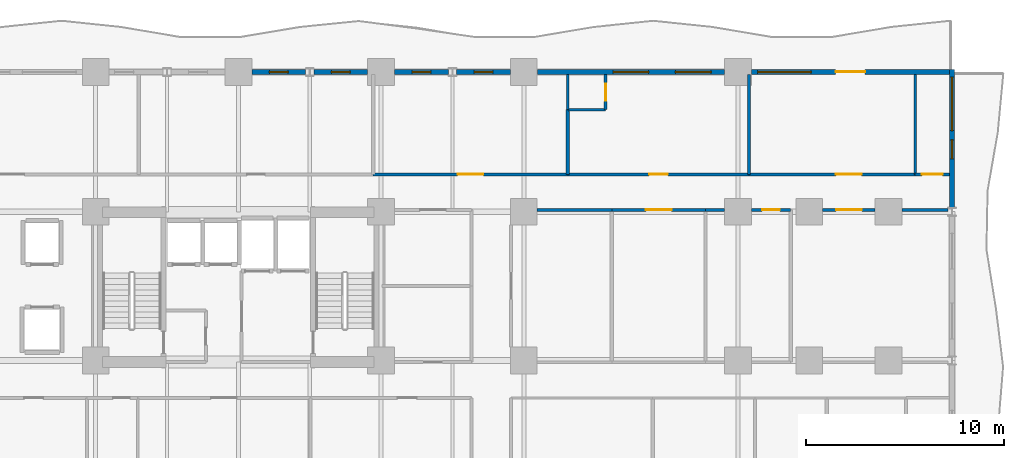
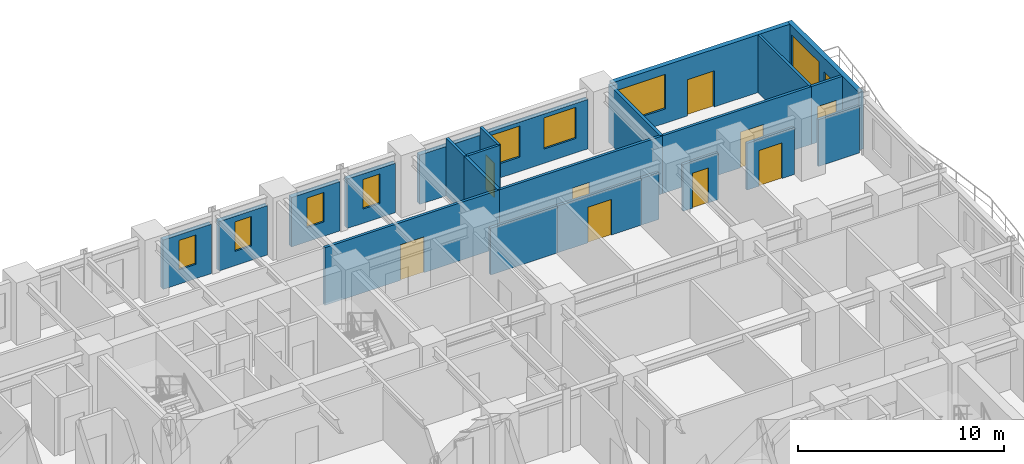
# One storey, part 7 of 11: 23 walls, 9 doors, 9 windows, 18 openings.
"""IFC4 building model written with IfcOpenShell, lengths in metres."""

from ifc_helpers import new_model, si_unit, direction, frame, frame_2d, origin, place, context, subcontext, project, spatial, rectangle, extrude, material, layer, layer_set, type_object, element, fill, save


model = new_model("IFC4")

# Units and contexts
model_context = context("Model", 3, precision=1e-05, world=origin(), true_north=direction((0.0, 1.0)))
body_context = subcontext(model_context, "Body", "Model", "MODEL_VIEW")
ifc_project = project(units=[si_unit("LENGTHUNIT", "METRE"), si_unit("AREAUNIT", "SQUARE_METRE"), si_unit("VOLUMEUNIT", "CUBIC_METRE"), si_unit("PLANEANGLEUNIT", "RADIAN"), si_unit("MASSUNIT", "GRAM", prefix="KILO")], contexts=[model_context])

# Site, building, storey
site_placement = place(None, origin())
site = spatial("IfcSite", under=ifc_project, at=site_placement, CompositionType="ELEMENT")
building_placement = place(site_placement, origin())
building = spatial("IfcBuilding", under=site, at=building_placement, Name="Kaliganga Portal Commons", CompositionType="ELEMENT")
storey_placement = place(building_placement, frame((0.0, 0.0, 25.300048828125)))
storey = spatial("IfcBuildingStorey", under=building, at=storey_placement, Name="L05", CompositionType="ELEMENT", Elevation=25.300048828125)

# Wall, openings, windows
ifc_material_1 = material(Name="Insulated Aluminium-Clad Spandrel Assembly", Category="aluminium")
ifc_layer_1 = layer(ifc_material_1, 0.260009765625)
ifc_layer_set_1 = layer_set([ifc_layer_1], Name="Insulated Aluminium-Clad Spandrel Assembly")
wall_type_1 = type_object("IfcWallType", Name="WL-EXT-SPAND-260", PredefinedType="STANDARD", material=ifc_layer_set_1)
wall_1_placement = place(storey_placement, frame((57.60009765625, 43.330078125, 0.0), z_axis=(0.0, 0.0, 1.0), x_axis=(0.0, -1.0, 0.0)))
wall_1 = element("IfcWall", 1, at=wall_1_placement, inside=storey, type_object=wall_type_1, Name="Exterior Envelope Wall L05 P1-E01-S6", PredefinedType="STANDARD", context=body_context, shape_type="SweptSolid", body=[
    extrude(rectangle(XDim=6.9560546875, YDim=0.260009765625, at=frame_2d((3.47802734375, 0.0))), origin(), (0.0, 0.0, 1.0), 3.429931640625),
])
opening_1_placement = place(wall_1_placement, frame((0.388916015625, 0.0, 0.85009765625)))
opening_1 = element("IfcOpeningElement", 2, at=opening_1_placement, cuts=wall_1, Name="Opening W-07", PredefinedType="OPENING", context=body_context, shape_type="SweptSolid", body=[
    extrude(rectangle(XDim=2.699951171875, YDim=2.050048828125, at=frame_2d((1.35009765625, 1.02490234375))), frame((0.0, 0.14013671875, 0.0), z_axis=(0.0, -1.0, 0.0), x_axis=(1.0, 0.0, 0.0)), (0.0, 0.0, 1.0), 0.280029296875),
])
opening_2_placement = place(wall_1_placement, frame((3.5595703125, 0.0, 0.85009765625)))
opening_2 = element("IfcOpeningElement", 3, at=opening_2_placement, cuts=wall_1, Name="Opening W-04", PredefinedType="OPENING", context=body_context, shape_type="SweptSolid", body=[
    extrude(rectangle(XDim=0.949951171875, YDim=1.75, at=frame_2d((0.47509765625, 0.875))), frame((0.0, 0.14013671875, 0.0), z_axis=(0.0, -1.0, 0.0), x_axis=(1.0, 0.0, 0.0)), (0.0, 0.0, 1.0), 0.280029296875),
])
ifc_material_2 = material(Name="Thermally Broken Aluminium and Low-E Double Glazing", Category="aluminium")
window_type_1 = type_object("IfcWindowType", Name="WIN-LOUNGE-2700", PartitioningType="TRIPLE_PANEL_VERTICAL", PredefinedType="WINDOW", material=ifc_material_2)
window_1_placement = place(opening_1_placement, origin())
window_1 = element("IfcWindow", 4, at=window_1_placement, inside=storey, type_object=window_type_1, Name="Facade Window L05-P1E01S6-00", OverallHeight=2.050048828125, OverallWidth=2.699951171875, PartitioningType="SINGLE_PANEL", PredefinedType="WINDOW", context=body_context, shape_type="SweptSolid", body=[
    extrude(rectangle(XDim=2.699951171875, YDim=2.050048828125, at=frame_2d((1.35009765625, 1.02490234375))), frame((0.0, 0.030029296875, 0.0), z_axis=(0.0, -1.0, 0.0), x_axis=(1.0, 0.0, 0.0)), (0.0, 0.0, 1.0), 0.06005859375),
])
fill(opening_1, window_1)
window_type_2 = type_object("IfcWindowType", Name="WIN-NARROW-950", PartitioningType="SINGLE_PANEL", PredefinedType="WINDOW", material=ifc_material_2)
window_2_placement = place(opening_2_placement, origin())
window_2 = element("IfcWindow", 5, at=window_2_placement, inside=storey, type_object=window_type_2, Name="Facade Window L05-P1E01S6-N6", OverallHeight=1.75, OverallWidth=0.949951171875, PartitioningType="SINGLE_PANEL", PredefinedType="WINDOW", context=body_context, shape_type="SweptSolid", body=[
    extrude(rectangle(XDim=0.949951171875, YDim=1.75, at=frame_2d((0.47509765625, 0.875))), frame((0.0, 0.030029296875, 0.0), z_axis=(0.0, -1.0, 0.0), x_axis=(1.0, 0.0, 0.0)), (0.0, 0.0, 1.0), 0.06005859375),
])
fill(opening_2, window_2)

# Wall, openings, door, window
wall_2_placement = place(storey_placement, frame((47.47607421875, 43.199951171875, 0.0), z_axis=(0.0, 0.0, 1.0), x_axis=(1.0, 0.0, 0.0)))
wall_2 = element("IfcWall", 6, at=wall_2_placement, inside=storey, type_object=wall_type_1, Name="Exterior Envelope Wall L05 P1-E02-S1", PredefinedType="STANDARD", context=body_context, shape_type="SweptSolid", body=[
    extrude(rectangle(XDim=9.989013671875, YDim=0.260009765625, at=frame_2d((4.99462890625, 0.0))), origin(), (0.0, 0.0, 1.0), 3.429931640625),
])
opening_3_placement = place(wall_2_placement, frame((4.2451171875, 0.0, 0.0)))
opening_3 = element("IfcOpeningElement", 7, at=opening_3_placement, cuts=wall_2, Name="Opening BD-01", PredefinedType="OPENING", context=body_context, shape_type="SweptSolid", body=[
    extrude(rectangle(XDim=1.5, YDim=2.14990234375, at=frame_2d((0.75, 1.074951171875))), frame((0.0, 0.14013671875, 0.0), z_axis=(0.0, -1.0, 0.0), x_axis=(1.0, 0.0, 0.0)), (0.0, 0.0, 1.0), 0.280029296875),
])
opening_4_placement = place(wall_2_placement, frame((0.314697265625, 0.0, 0.85009765625)))
opening_4 = element("IfcOpeningElement", 8, at=opening_4_placement, cuts=wall_2, Name="Opening W-07", PredefinedType="OPENING", context=body_context, shape_type="SweptSolid", body=[
    extrude(rectangle(XDim=2.699951171875, YDim=2.050048828125, at=frame_2d((1.35009765625, 1.02490234375))), frame((0.0, 0.14013671875, 0.0), z_axis=(0.0, -1.0, 0.0), x_axis=(1.0, 0.0, 0.0)), (0.0, 0.0, 1.0), 0.280029296875),
])
ifc_material_3 = material(Name="Anodized Aluminium and Laminated Safety Glass", Category="aluminium")
door_type_1 = type_object("IfcDoorType", Name="DR-BALC-1500", OperationType="SLIDING_TO_LEFT", PredefinedType="DOOR", material=ifc_material_3)
door_1_placement = place(opening_3_placement, origin())
door_1 = element("IfcDoor", 9, at=door_1_placement, inside=storey, type_object=door_type_1, Name="Balcony Sliding Door L05 balc_north", OperationType="SLIDING_TO_LEFT", OverallHeight=2.14990234375, OverallWidth=1.5, PredefinedType="DOOR", context=body_context, shape_type="SweptSolid", body=[
    extrude(rectangle(XDim=1.5, YDim=2.14990234375, at=frame_2d((0.75, 1.074951171875))), frame((0.0, 0.02490234375, 0.0), z_axis=(0.0, -1.0, 0.0), x_axis=(1.0, 0.0, 0.0)), (0.0, 0.0, 1.0), 0.050048828125),
])
fill(opening_3, door_1)
window_3_placement = place(opening_4_placement, origin())
window_3 = element("IfcWindow", 10, at=window_3_placement, inside=storey, type_object=window_type_1, Name="Facade Window L05-P1E02S1-00", OverallHeight=2.050048828125, OverallWidth=2.699951171875, PartitioningType="SINGLE_PANEL", PredefinedType="WINDOW", context=body_context, shape_type="SweptSolid", body=[
    extrude(rectangle(XDim=2.699951171875, YDim=2.050048828125, at=frame_2d((1.35009765625, 1.02490234375))), frame((0.0, 0.030029296875, 0.0), z_axis=(0.0, -1.0, 0.0), x_axis=(1.0, 0.0, 0.0)), (0.0, 0.0, 1.0), 0.06005859375),
])
fill(opening_4, window_3)

# Wall, openings, windows
wall_3_placement = place(storey_placement, frame((36.676025390625, 43.199951171875, 0.0), z_axis=(0.0, 0.0, 1.0), x_axis=(1.0, 0.0, 0.0)))
wall_3 = element("IfcWall", 11, at=wall_3_placement, inside=storey, type_object=wall_type_1, Name="Exterior Envelope Wall L05 P1-E02-S2", PredefinedType="STANDARD", context=body_context, shape_type="SweptSolid", body=[
    extrude(rectangle(XDim=9.447998046875, YDim=0.260009765625, at=frame_2d((4.72412109375, 0.0))), origin(), (0.0, 0.0, 1.0), 2.929931640625),
])
opening_5_placement = place(wall_3_placement, frame((3.823974609375, 0.0, 0.85009765625)))
opening_5 = element("IfcOpeningElement", 12, at=opening_5_placement, cuts=wall_3, Name="Opening W-01", PredefinedType="OPENING", context=body_context, shape_type="SweptSolid", body=[
    extrude(rectangle(XDim=1.800048828125, YDim=1.85009765625, at=frame_2d((0.89990234375, 0.925048828125))), frame((0.0, 0.14013671875, 0.0), z_axis=(0.0, -1.0, 0.0), x_axis=(1.0, 0.0, 0.0)), (0.0, 0.0, 1.0), 0.280029296875),
])
opening_6_placement = place(wall_3_placement, frame((6.973388671875, 0.0, 0.85009765625)))
opening_6 = element("IfcOpeningElement", 13, at=opening_6_placement, cuts=wall_3, Name="Opening W-01", PredefinedType="OPENING", context=body_context, shape_type="SweptSolid", body=[
    extrude(rectangle(XDim=1.800048828125, YDim=1.85009765625, at=frame_2d((0.89990234375, 0.925048828125))), frame((0.0, 0.14013671875, 0.0), z_axis=(0.0, -1.0, 0.0), x_axis=(1.0, 0.0, 0.0)), (0.0, 0.0, 1.0), 0.280029296875),
])
window_type_3 = type_object("IfcWindowType", Name="WIN-STD-1800", PartitioningType="DOUBLE_PANEL_VERTICAL", PredefinedType="WINDOW", material=ifc_material_2)
window_4_placement = place(opening_5_placement, origin())
window_4 = element("IfcWindow", 14, at=window_4_placement, inside=storey, type_object=window_type_3, Name="Facade Window L05-P1E02S2-01", OverallHeight=1.85009765625, OverallWidth=1.800048828125, PartitioningType="SINGLE_PANEL", PredefinedType="WINDOW", context=body_context, shape_type="SweptSolid", body=[
    extrude(rectangle(XDim=1.800048828125, YDim=1.85009765625, at=frame_2d((0.89990234375, 0.925048828125))), frame((0.0, 0.030029296875, 0.0), z_axis=(0.0, -1.0, 0.0), x_axis=(1.0, 0.0, 0.0)), (0.0, 0.0, 1.0), 0.06005859375),
])
fill(opening_5, window_4)
window_5_placement = place(opening_6_placement, origin())
window_5 = element("IfcWindow", 15, at=window_5_placement, inside=storey, type_object=window_type_3, Name="Facade Window L05-P1E02S2-02", OverallHeight=1.85009765625, OverallWidth=1.800048828125, PartitioningType="SINGLE_PANEL", PredefinedType="WINDOW", context=body_context, shape_type="SweptSolid", body=[
    extrude(rectangle(XDim=1.800048828125, YDim=1.85009765625, at=frame_2d((0.89990234375, 0.925048828125))), frame((0.0, 0.030029296875, 0.0), z_axis=(0.0, -1.0, 0.0), x_axis=(1.0, 0.0, 0.0)), (0.0, 0.0, 1.0), 0.06005859375),
])
fill(opening_6, window_5)

# Wall, opening, window
wall_4_placement = place(storey_placement, frame((32.60888671875, 43.199951171875, 0.0), z_axis=(0.0, 0.0, 1.0), x_axis=(1.0, 0.0, 0.0)))
wall_4 = element("IfcWall", 16, at=wall_4_placement, inside=storey, type_object=wall_type_1, Name="Exterior Envelope Wall L05 P1-E02-S3", PredefinedType="STANDARD", context=body_context, shape_type="SweptSolid", body=[
    extrude(rectangle(XDim=2.715087890625, YDim=0.260009765625, at=frame_2d((1.357421875, 0.0))), origin(), (0.0, 0.0, 1.0), 2.929931640625),
])
opening_7_placement = place(wall_4_placement, frame((0.882568359375, 0.0, 0.85009765625)))
opening_7 = element("IfcOpeningElement", 17, at=opening_7_placement, cuts=wall_4, Name="Opening W-04", PredefinedType="OPENING", context=body_context, shape_type="SweptSolid", body=[
    extrude(rectangle(XDim=0.949951171875, YDim=1.75, at=frame_2d((0.47509765625, 0.875))), frame((0.0, 0.14013671875, 0.0), z_axis=(0.0, -1.0, 0.0), x_axis=(1.0, 0.0, 0.0)), (0.0, 0.0, 1.0), 0.280029296875),
])
window_6_placement = place(opening_7_placement, origin())
window_6 = element("IfcWindow", 18, at=window_6_placement, inside=storey, type_object=window_type_2, Name="Facade Window L05-P1E02S3-00", OverallHeight=1.75, OverallWidth=0.949951171875, PartitioningType="SINGLE_PANEL", PredefinedType="WINDOW", context=body_context, shape_type="SweptSolid", body=[
    extrude(rectangle(XDim=0.949951171875, YDim=1.75, at=frame_2d((0.47509765625, 0.875))), frame((0.0, 0.030029296875, 0.0), z_axis=(0.0, -1.0, 0.0), x_axis=(1.0, 0.0, 0.0)), (0.0, 0.0, 1.0), 0.06005859375),
])
fill(opening_7, window_6)

wall_5_placement = place(storey_placement, frame((29.47607421875, 43.199951171875, 0.0), z_axis=(0.0, 0.0, 1.0), x_axis=(1.0, 0.0, 0.0)))
wall_5 = element("IfcWall", 19, at=wall_5_placement, inside=storey, type_object=wall_type_1, Name="Exterior Envelope Wall L05 P1-E02-S4", PredefinedType="STANDARD", context=body_context, shape_type="SweptSolid", body=[
    extrude(rectangle(XDim=2.71484375, YDim=0.260009765625, at=frame_2d((1.357421875, 0.0))), origin(), (0.0, 0.0, 1.0), 2.929931640625),
])
opening_8_placement = place(wall_5_placement, frame((0.882568359375, 0.0, 0.85009765625)))
opening_8 = element("IfcOpeningElement", 20, at=opening_8_placement, cuts=wall_5, Name="Opening W-04", PredefinedType="OPENING", context=body_context, shape_type="SweptSolid", body=[
    extrude(rectangle(XDim=0.949951171875, YDim=1.75, at=frame_2d((0.47509765625, 0.875))), frame((0.0, 0.14013671875, 0.0), z_axis=(0.0, -1.0, 0.0), x_axis=(1.0, 0.0, 0.0)), (0.0, 0.0, 1.0), 0.280029296875),
])
window_7_placement = place(opening_8_placement, origin())
window_7 = element("IfcWindow", 21, at=window_7_placement, inside=storey, type_object=window_type_2, Name="Facade Window L05-P1E02S4-00", OverallHeight=1.75, OverallWidth=0.949951171875, PartitioningType="SINGLE_PANEL", PredefinedType="WINDOW", context=body_context, shape_type="SweptSolid", body=[
    extrude(rectangle(XDim=0.949951171875, YDim=1.75, at=frame_2d((0.47509765625, 0.875))), frame((0.0, 0.030029296875, 0.0), z_axis=(0.0, -1.0, 0.0), x_axis=(1.0, 0.0, 0.0)), (0.0, 0.0, 1.0), 0.06005859375),
])
fill(opening_8, window_7)

wall_6_placement = place(storey_placement, frame((25.408935546875, 43.199951171875, 0.0), z_axis=(0.0, 0.0, 1.0), x_axis=(1.0, 0.0, 0.0)))
wall_6 = element("IfcWall", 22, at=wall_6_placement, inside=storey, type_object=wall_type_1, Name="Exterior Envelope Wall L05 P1-E02-S5", PredefinedType="STANDARD", context=body_context, shape_type="SweptSolid", body=[
    extrude(rectangle(XDim=2.715087890625, YDim=0.260009765625, at=frame_2d((1.357421875, 0.0))), origin(), (0.0, 0.0, 1.0), 2.929931640625),
])
opening_9_placement = place(wall_6_placement, frame((0.882568359375, 0.0, 0.85009765625)))
opening_9 = element("IfcOpeningElement", 23, at=opening_9_placement, cuts=wall_6, Name="Opening W-04", PredefinedType="OPENING", context=body_context, shape_type="SweptSolid", body=[
    extrude(rectangle(XDim=0.949951171875, YDim=1.75, at=frame_2d((0.47509765625, 0.875))), frame((0.0, 0.14013671875, 0.0), z_axis=(0.0, -1.0, 0.0), x_axis=(1.0, 0.0, 0.0)), (0.0, 0.0, 1.0), 0.280029296875),
])
window_8_placement = place(opening_9_placement, origin())
window_8 = element("IfcWindow", 24, at=window_8_placement, inside=storey, type_object=window_type_2, Name="Facade Window L05-P1E02S5-00", OverallHeight=1.75, OverallWidth=0.949951171875, PartitioningType="SINGLE_PANEL", PredefinedType="WINDOW", context=body_context, shape_type="SweptSolid", body=[
    extrude(rectangle(XDim=0.949951171875, YDim=1.75, at=frame_2d((0.47509765625, 0.875))), frame((0.0, 0.030029296875, 0.0), z_axis=(0.0, -1.0, 0.0), x_axis=(1.0, 0.0, 0.0)), (0.0, 0.0, 1.0), 0.06005859375),
])
fill(opening_9, window_8)

wall_7_placement = place(storey_placement, frame((22.27587890625, 43.199951171875, 0.0), z_axis=(0.0, 0.0, 1.0), x_axis=(1.0, 0.0, 0.0)))
wall_7 = element("IfcWall", 25, at=wall_7_placement, inside=storey, type_object=wall_type_1, Name="Exterior Envelope Wall L05 P1-E02-S6", PredefinedType="STANDARD", context=body_context, shape_type="SweptSolid", body=[
    extrude(rectangle(XDim=2.715087890625, YDim=0.260009765625, at=frame_2d((1.357421875, 0.0))), origin(), (0.0, 0.0, 1.0), 2.929931640625),
])
opening_10_placement = place(wall_7_placement, frame((0.882568359375, 0.0, 0.85009765625)))
opening_10 = element("IfcOpeningElement", 26, at=opening_10_placement, cuts=wall_7, Name="Opening W-04", PredefinedType="OPENING", context=body_context, shape_type="SweptSolid", body=[
    extrude(rectangle(XDim=0.949951171875, YDim=1.75, at=frame_2d((0.47509765625, 0.875))), frame((0.0, 0.14013671875, 0.0), z_axis=(0.0, -1.0, 0.0), x_axis=(1.0, 0.0, 0.0)), (0.0, 0.0, 1.0), 0.280029296875),
])
window_9_placement = place(opening_10_placement, origin())
window_9 = element("IfcWindow", 27, at=window_9_placement, inside=storey, type_object=window_type_2, Name="Facade Window L05-P1E02S6-00", OverallHeight=1.75, OverallWidth=0.949951171875, PartitioningType="SINGLE_PANEL", PredefinedType="WINDOW", context=body_context, shape_type="SweptSolid", body=[
    extrude(rectangle(XDim=0.949951171875, YDim=1.75, at=frame_2d((0.47509765625, 0.875))), frame((0.0, 0.030029296875, 0.0), z_axis=(0.0, -1.0, 0.0), x_axis=(1.0, 0.0, 0.0)), (0.0, 0.0, 1.0), 0.06005859375),
])
fill(opening_10, window_9)

# Wall, opening, door
ifc_material_4 = material(Name="Fire-Rated Gypsum Board on Steel Stud", Category="steel")
ifc_layer_2 = layer(ifc_material_4, 0.14990234375)
ifc_layer_set_2 = layer_set([ifc_layer_2], Name="Fire-Rated Gypsum Board on Steel Stud")
wall_type_2 = type_object("IfcWallType", Name="WL-PART-CORR-150", PredefinedType="PARTITIONING", material=ifc_layer_set_2)
wall_8_placement = place(storey_placement, frame((28.39990234375, 38.0400390625, 0.0), z_axis=(0.0, 0.0, 1.0), x_axis=(1.0, 0.0, 0.0)))
wall_8 = element("IfcWall", 28, at=wall_8_placement, inside=storey, type_object=wall_type_2, Name="Interior Partition L05-011", PredefinedType="PARTITIONING", context=body_context, shape_type="SweptSolid", body=[
    extrude(rectangle(XDim=9.820068359375, YDim=0.14990234375, at=frame_2d((4.91015625, 0.0))), origin(), (0.0, 0.0, 1.0), 3.429931640625),
])
opening_11_placement = place(wall_8_placement, frame((4.260009765625, 0.0, 0.0)))
opening_11 = element("IfcOpeningElement", 29, at=opening_11_placement, cuts=wall_8, Name="Opening RD-03", PredefinedType="OPENING", context=body_context, shape_type="SweptSolid", body=[
    extrude(rectangle(XDim=1.300048828125, YDim=2.1201171875, at=frame_2d((0.64990234375, 1.06005859375))), frame((0.0, 0.0849609375, 0.0), z_axis=(0.0, -1.0, 0.0), x_axis=(1.0, 0.0, 0.0)), (0.0, 0.0, 1.0), 0.169921875),
])
ifc_material_5 = material(Name="Glazed Timber Seminar Vision Door", Category="wood")
door_type_2 = type_object("IfcDoorType", Name="DR-STUDY-1300", OperationType="DOUBLE_DOOR_SINGLE_SWING", PredefinedType="DOOR", material=ifc_material_5)
door_2_placement = place(opening_11_placement, origin())
door_2 = element("IfcDoor", 30, at=door_2_placement, inside=storey, type_object=door_type_2, Name="Interior Door L05-AN03", OperationType="DOUBLE_DOOR_SINGLE_SWING", OverallHeight=2.1201171875, OverallWidth=1.300048828125, PredefinedType="DOOR", context=body_context, shape_type="SweptSolid", body=[
    extrude(rectangle(XDim=1.300048828125, YDim=2.1201171875, at=frame_2d((0.64990234375, 1.06005859375))), frame((0.0, 0.02490234375, 0.0), z_axis=(0.0, -1.0, 0.0), x_axis=(1.0, 0.0, 0.0)), (0.0, 0.0, 1.0), 0.050048828125),
])
fill(opening_11, door_2)

wall_9_placement = place(storey_placement, frame((38.219970703125, 38.0400390625, 0.0), z_axis=(0.0, 0.0, 1.0), x_axis=(1.0, 0.0, 0.0)))
wall_9 = element("IfcWall", 31, at=wall_9_placement, inside=storey, type_object=wall_type_2, Name="Interior Partition L05-015", PredefinedType="PARTITIONING", context=body_context, shape_type="SweptSolid", body=[
    extrude(rectangle(XDim=9.14013671875, YDim=0.14990234375, at=frame_2d((4.570068359375, 0.0))), origin(), (0.0, 0.0, 1.0), 3.429931640625),
])
opening_12_placement = place(wall_9_placement, frame((4.094970703125, 0.0, 0.0)))
opening_12 = element("IfcOpeningElement", 32, at=opening_12_placement, cuts=wall_9, Name="Opening UD-01", PredefinedType="OPENING", context=body_context, shape_type="SweptSolid", body=[
    extrude(rectangle(XDim=0.949951171875, YDim=2.10009765625, at=frame_2d((0.47509765625, 1.050048828125))), frame((0.0, 0.0849609375, 0.0), z_axis=(0.0, -1.0, 0.0), x_axis=(1.0, 0.0, 0.0)), (0.0, 0.0, 1.0), 0.169921875),
])
ifc_material_6 = material(Name="Solid-Core Timber Acoustic Fire Door", Category="wood")
door_type_3 = type_object("IfcDoorType", Name="DR-UNIT-950", OperationType="NOTDEFINED", PredefinedType="DOOR", material=ifc_material_6)
door_3_placement = place(opening_12_placement, origin())
door_3 = element("IfcDoor", 33, at=door_3_placement, inside=storey, type_object=door_type_3, Name="Interior Door L05-AN04", OperationType="SINGLE_SWING_LEFT", OverallHeight=2.10009765625, OverallWidth=0.949951171875, PredefinedType="DOOR", context=body_context, shape_type="SweptSolid", body=[
    extrude(rectangle(XDim=0.949951171875, YDim=2.10009765625, at=frame_2d((0.47509765625, 1.050048828125))), frame((0.0, 0.02490234375, 0.0), z_axis=(0.0, -1.0, 0.0), x_axis=(1.0, 0.0, 0.0)), (0.0, 0.0, 1.0), 0.050048828125),
])
fill(opening_12, door_3)

wall_10_placement = place(storey_placement, frame((47.360107421875, 38.0400390625, 0.0), z_axis=(0.0, 0.0, 1.0), x_axis=(1.0, 0.0, 0.0)))
wall_10 = element("IfcWall", 34, at=wall_10_placement, inside=storey, type_object=wall_type_2, Name="Interior Partition L05-017", PredefinedType="PARTITIONING", context=body_context, shape_type="SweptSolid", body=[
    extrude(rectangle(XDim=8.3798828125, YDim=0.14990234375, at=frame_2d((4.18994140625, 0.0))), origin(), (0.0, 0.0, 1.0), 3.429931640625),
])
opening_13_placement = place(wall_10_placement, frame((4.3779296875, 0.0, 0.0)))
opening_13 = element("IfcOpeningElement", 35, at=opening_13_placement, cuts=wall_10, Name="Opening RD-03", PredefinedType="OPENING", context=body_context, shape_type="SweptSolid", body=[
    extrude(rectangle(XDim=1.300048828125, YDim=2.1201171875, at=frame_2d((0.64990234375, 1.06005859375))), frame((0.0, 0.0849609375, 0.0), z_axis=(0.0, -1.0, 0.0), x_axis=(1.0, 0.0, 0.0)), (0.0, 0.0, 1.0), 0.169921875),
])
door_4_placement = place(opening_13_placement, origin())
door_4 = element("IfcDoor", 36, at=door_4_placement, inside=storey, type_object=door_type_2, Name="Interior Door L05-AN05", OperationType="DOUBLE_DOOR_SINGLE_SWING", OverallHeight=2.1201171875, OverallWidth=1.300048828125, PredefinedType="DOOR", context=body_context, shape_type="SweptSolid", body=[
    extrude(rectangle(XDim=1.300048828125, YDim=2.1201171875, at=frame_2d((0.64990234375, 1.06005859375))), frame((0.0, 0.02490234375, 0.0), z_axis=(0.0, -1.0, 0.0), x_axis=(1.0, 0.0, 0.0)), (0.0, 0.0, 1.0), 0.050048828125),
])
fill(opening_13, door_4)

wall_11_placement = place(storey_placement, frame((51.074951171875, 36.239990234375, 0.0), z_axis=(0.0, 0.0, 1.0), x_axis=(1.0, 0.0, 0.0)))
wall_11 = element("IfcWall", 37, at=wall_11_placement, inside=storey, type_object=wall_type_2, Name="Interior Partition L05-018", PredefinedType="PARTITIONING", context=body_context, shape_type="SweptSolid", body=[
    extrude(rectangle(XDim=2.650146484375, YDim=0.14990234375, at=frame_2d((1.3251953125, 0.0))), origin(), (0.0, 0.0, 1.0), 2.780029296875),
])
opening_14_placement = place(wall_11_placement, frame((0.675048828125, 0.0, 0.0)))
opening_14 = element("IfcOpeningElement", 38, at=opening_14_placement, cuts=wall_11, Name="Opening RD-03", PredefinedType="OPENING", context=body_context, shape_type="SweptSolid", body=[
    extrude(rectangle(XDim=1.300048828125, YDim=2.1201171875, at=frame_2d((0.64990234375, 1.06005859375))), frame((0.0, 0.0849609375, 0.0), z_axis=(0.0, -1.0, 0.0), x_axis=(1.0, 0.0, 0.0)), (0.0, 0.0, 1.0), 0.169921875),
])
door_5_placement = place(opening_14_placement, origin())
door_5 = element("IfcDoor", 39, at=door_5_placement, inside=storey, type_object=door_type_2, Name="Interior Door L05-BK04", OperationType="DOUBLE_DOOR_SINGLE_SWING", OverallHeight=2.1201171875, OverallWidth=1.300048828125, PredefinedType="DOOR", context=body_context, shape_type="SweptSolid", body=[
    extrude(rectangle(XDim=1.300048828125, YDim=2.1201171875, at=frame_2d((0.64990234375, 1.06005859375))), frame((0.0, 0.02490234375, 0.0), z_axis=(0.0, -1.0, 0.0), x_axis=(1.0, 0.0, 0.0)), (0.0, 0.0, 1.0), 0.050048828125),
])
fill(opening_14, door_5)

# Walls
wall_12_placement = place(storey_placement, frame((55.074951171875, 36.239990234375, 0.0), z_axis=(0.0, 0.0, 1.0), x_axis=(1.0, 0.0, 0.0)))
element("IfcWall", 40, at=wall_12_placement, inside=storey, type_object=wall_type_2, Name="Interior Partition L05-019", PredefinedType="PARTITIONING", context=body_context, shape_type="SweptSolid", body=[
    extrude(rectangle(XDim=2.317138671875, YDim=0.14990234375, at=frame_2d((1.15869140625, 0.0))), origin(), (0.0, 0.0, 1.0), 2.780029296875),
])
wall_13_placement = place(storey_placement, frame((36.675048828125, 36.239990234375, 0.0), z_axis=(0.0, 0.0, 1.0), x_axis=(1.0, 0.0, 0.0)))
element("IfcWall", 41, at=wall_13_placement, inside=storey, type_object=wall_type_2, Name="Interior Partition L05-032", PredefinedType="PARTITIONING", context=body_context, shape_type="SweptSolid", body=[
    extrude(rectangle(XDim=3.764892578125, YDim=0.14990234375, at=frame_2d((1.88232421875, 0.0))), origin(), (0.0, 0.0, 1.0), 2.780029296875),
])

# Wall, opening, door
wall_14_placement = place(storey_placement, frame((40.43994140625, 36.239990234375, 0.0), z_axis=(0.0, 0.0, 1.0), x_axis=(1.0, 0.0, 0.0)))
wall_14 = element("IfcWall", 42, at=wall_14_placement, inside=storey, type_object=wall_type_2, Name="Interior Partition L05-038", PredefinedType="PARTITIONING", context=body_context, shape_type="SweptSolid", body=[
    extrude(rectangle(XDim=4.719970703125, YDim=0.14990234375, at=frame_2d((2.35986328125, 0.0))), origin(), (0.0, 0.0, 1.0), 2.780029296875),
])
opening_15_placement = place(wall_14_placement, frame((1.7099609375, 0.0, 0.0)))
opening_15 = element("IfcOpeningElement", 43, at=opening_15_placement, cuts=wall_14, Name="Opening RD-03", PredefinedType="OPENING", context=body_context, shape_type="SweptSolid", body=[
    extrude(rectangle(XDim=1.300048828125, YDim=2.1201171875, at=frame_2d((0.64990234375, 1.06005859375))), frame((0.0, 0.0849609375, 0.0), z_axis=(0.0, -1.0, 0.0), x_axis=(1.0, 0.0, 0.0)), (0.0, 0.0, 1.0), 0.169921875),
])
door_6_placement = place(opening_15_placement, origin())
door_6 = element("IfcDoor", 44, at=door_6_placement, inside=storey, type_object=door_type_2, Name="Interior Door L05-BK02", OperationType="DOUBLE_DOOR_SINGLE_SWING", OverallHeight=2.1201171875, OverallWidth=1.300048828125, PredefinedType="DOOR", context=body_context, shape_type="SweptSolid", body=[
    extrude(rectangle(XDim=1.300048828125, YDim=2.1201171875, at=frame_2d((0.64990234375, 1.06005859375))), frame((0.0, 0.02490234375, 0.0), z_axis=(0.0, -1.0, 0.0), x_axis=(1.0, 0.0, 0.0)), (0.0, 0.0, 1.0), 0.050048828125),
])
fill(opening_15, door_6)

# Wall
wall_15_placement = place(storey_placement, frame((45.159912109375, 36.239990234375, 0.0), z_axis=(0.0, 0.0, 1.0), x_axis=(1.0, 0.0, 0.0)))
element("IfcWall", 45, at=wall_15_placement, inside=storey, type_object=wall_type_2, Name="Interior Partition L05-042", PredefinedType="PARTITIONING", context=body_context, shape_type="SweptSolid", body=[
    extrude(rectangle(XDim=0.965087890625, YDim=0.14990234375, at=frame_2d((0.482421875, 0.0))), origin(), (0.0, 0.0, 1.0), 2.780029296875),
])

# Wall, opening, door
wall_16_placement = place(storey_placement, frame((47.47509765625, 36.239990234375, 0.0), z_axis=(0.0, 0.0, 1.0), x_axis=(1.0, 0.0, 0.0)))
wall_16 = element("IfcWall", 46, at=wall_16_placement, inside=storey, type_object=wall_type_2, Name="Interior Partition L05-043", PredefinedType="PARTITIONING", context=body_context, shape_type="SweptSolid", body=[
    extrude(rectangle(XDim=1.98486328125, YDim=0.14990234375, at=frame_2d((0.992431640625, 0.0))), origin(), (0.0, 0.0, 1.0), 2.780029296875),
])
opening_16_placement = place(wall_16_placement, frame((0.54248046875, 0.0, 0.0)))
opening_16 = element("IfcOpeningElement", 47, at=opening_16_placement, cuts=wall_16, Name="Opening RD-01", PredefinedType="OPENING", context=body_context, shape_type="SweptSolid", body=[
    extrude(rectangle(XDim=0.89990234375, YDim=2.080078125, at=frame_2d((0.449951171875, 1.0400390625))), frame((0.0, 0.0849609375, 0.0), z_axis=(0.0, -1.0, 0.0), x_axis=(1.0, 0.0, 0.0)), (0.0, 0.0, 1.0), 0.169921875),
])
ifc_material_7 = material(Name="Engineered Timber Flush Door", Category="wood")
door_type_4 = type_object("IfcDoorType", Name="DR-ROOM-900", OperationType="NOTDEFINED", PredefinedType="DOOR", material=ifc_material_7)
door_7_placement = place(opening_16_placement, origin())
door_7 = element("IfcDoor", 48, at=door_7_placement, inside=storey, type_object=door_type_4, Name="Interior Door L05-BK03", OperationType="SINGLE_SWING_RIGHT", OverallHeight=2.080078125, OverallWidth=0.89990234375, PredefinedType="DOOR", context=body_context, shape_type="SweptSolid", body=[
    extrude(rectangle(XDim=0.89990234375, YDim=2.080078125, at=frame_2d((0.449951171875, 1.0400390625))), frame((0.0, 0.02490234375, 0.0), z_axis=(0.0, -1.0, 0.0), x_axis=(1.0, 0.0, 0.0)), (0.0, 0.0, 1.0), 0.050048828125),
])
fill(opening_16, door_7)

wall_17_placement = place(storey_placement, frame((55.739990234375, 38.0400390625, 0.0), z_axis=(0.0, 0.0, 1.0), x_axis=(1.0, 0.0, 0.0)))
wall_17 = element("IfcWall", 49, at=wall_17_placement, inside=storey, type_object=wall_type_2, Name="Interior Partition L05-056", PredefinedType="PARTITIONING", context=body_context, shape_type="SweptSolid", body=[
    extrude(rectangle(XDim=1.72802734375, YDim=0.14990234375, at=frame_2d((0.864013671875, 0.0))), origin(), (0.0, 0.0, 1.0), 3.429931640625),
])
opening_17_placement = place(wall_17_placement, frame((0.339111328125, 0.0, 0.0)))
opening_17 = element("IfcOpeningElement", 50, at=opening_17_placement, cuts=wall_17, Name="Opening UD-02", PredefinedType="OPENING", context=body_context, shape_type="SweptSolid", body=[
    extrude(rectangle(XDim=1.050048828125, YDim=2.1201171875, at=frame_2d((0.52490234375, 1.06005859375))), frame((0.0, 0.0849609375, 0.0), z_axis=(0.0, -1.0, 0.0), x_axis=(1.0, 0.0, 0.0)), (0.0, 0.0, 1.0), 0.169921875),
])
ifc_material_8 = material(Name="Accessible Wide-Leaf Acoustic Fire Door", Category="wood")
door_type_5 = type_object("IfcDoorType", Name="DR-ACC-1050", OperationType="NOTDEFINED", PredefinedType="DOOR", material=ifc_material_8)
door_8_placement = place(opening_17_placement, origin())
door_8 = element("IfcDoor", 51, at=door_8_placement, inside=storey, type_object=door_type_5, Name="Interior Door L05-AN06", OperationType="SINGLE_SWING_RIGHT", OverallHeight=2.1201171875, OverallWidth=1.050048828125, PredefinedType="DOOR", context=body_context, shape_type="SweptSolid", body=[
    extrude(rectangle(XDim=1.050048828125, YDim=2.1201171875, at=frame_2d((0.52490234375, 1.06005859375))), frame((0.0, 0.02490234375, 0.0), z_axis=(0.0, -1.0, 0.0), x_axis=(1.0, 0.0, 0.0)), (0.0, 0.0, 1.0), 0.050048828125),
])
fill(opening_17, door_8)

# Walls
ifc_material_9 = material(Name="Twin-Stud Acoustic Gypsum Partition", Category="gypsum")
ifc_layer_3 = layer(ifc_material_9, 0.1650390625)
ifc_layer_set_3 = layer_set([ifc_layer_3], Name="Twin-Stud Acoustic Gypsum Partition")
wall_type_3 = type_object("IfcWallType", Name="WL-PART-UNIT-165", PredefinedType="PARTITIONING", material=ifc_layer_set_3)
wall_18_placement = place(storey_placement, frame((47.360107421875, 38.0400390625, 0.0), z_axis=(0.0, 0.0, 1.0), x_axis=(0.0, 1.0, 0.0)))
element("IfcWall", 52, at=wall_18_placement, inside=storey, type_object=wall_type_3, Name="Interior Partition L05-069", PredefinedType="PARTITIONING", context=body_context, shape_type="SweptSolid", body=[
    extrude(rectangle(XDim=5.028076171875, YDim=0.1650390625, at=frame_2d((2.51416015625, 0.0))), origin(), (0.0, 0.0, 1.0), 3.429931640625),
])
wall_19_placement = place(storey_placement, frame((38.219970703125, 38.0400390625, 0.0), z_axis=(0.0, 0.0, 1.0), x_axis=(0.0, 1.0, 0.0)))
element("IfcWall", 53, at=wall_19_placement, inside=storey, type_object=wall_type_3, Name="Interior Partition L05-087", PredefinedType="PARTITIONING", context=body_context, shape_type="SweptSolid", body=[
    extrude(rectangle(XDim=3.260009765625, YDim=0.1650390625, at=frame_2d((1.6298828125, 0.0))), origin(), (0.0, 0.0, 1.0), 3.429931640625),
])
ifc_material_10 = material(Name="Cement-Board Wet-Room Partition", Category="gypsum")
ifc_layer_4 = layer(ifc_material_10, 0.135009765625)
ifc_layer_set_4 = layer_set([ifc_layer_4], Name="Cement-Board Wet-Room Partition")
wall_type_4 = type_object("IfcWallType", Name="WL-PART-WET-135", PredefinedType="PARTITIONING", material=ifc_layer_set_4)
wall_20_placement = place(storey_placement, frame((38.219970703125, 41.300048828125, 0.0), z_axis=(0.0, 0.0, 1.0), x_axis=(0.0, 1.0, 0.0)))
element("IfcWall", 54, at=wall_20_placement, inside=storey, type_object=wall_type_4, Name="Interior Partition L05-003", PredefinedType="PARTITIONING", context=body_context, shape_type="SweptSolid", body=[
    extrude(rectangle(XDim=1.76806640625, YDim=0.135009765625, at=frame_2d((0.884033203125, 0.0))), origin(), (0.0, 0.0, 1.0), 3.429931640625),
])

# Wall, opening, door
wall_21_placement = place(storey_placement, frame((40.1201171875, 41.300048828125, 0.0), z_axis=(0.0, 0.0, 1.0), x_axis=(0.0, 1.0, 0.0)))
wall_21 = element("IfcWall", 55, at=wall_21_placement, inside=storey, type_object=wall_type_4, Name="Interior Partition L05-004", PredefinedType="PARTITIONING", context=body_context, shape_type="SweptSolid", body=[
    extrude(rectangle(XDim=1.76806640625, YDim=0.135009765625, at=frame_2d((0.884033203125, 0.0))), origin(), (0.0, 0.0, 1.0), 3.429931640625),
])
opening_18_placement = place(wall_21_placement, frame((0.458984375, 0.0, 0.0)))
opening_18 = element("IfcOpeningElement", 56, at=opening_18_placement, cuts=wall_21, Name="Opening WD-01", PredefinedType="OPENING", context=body_context, shape_type="SweptSolid", body=[
    extrude(rectangle(XDim=0.85009765625, YDim=2.0400390625, at=frame_2d((0.425048828125, 1.02001953125))), frame((0.0, 0.07763671875, 0.0), z_axis=(0.0, -1.0, 0.0), x_axis=(1.0, 0.0, 0.0)), (0.0, 0.0, 1.0), 0.155029296875),
])
ifc_material_11 = material(Name="Moisture-Resistant Laminate Timber Door", Category="wood")
door_type_6 = type_object("IfcDoorType", Name="DR-WET-850", OperationType="NOTDEFINED", PredefinedType="DOOR", material=ifc_material_11)
door_9_placement = place(opening_18_placement, origin())
door_9 = element("IfcDoor", 57, at=door_9_placement, inside=storey, type_object=door_type_6, Name="Interior Door L05-AN04E", OperationType="SINGLE_SWING_RIGHT", OverallHeight=2.0400390625, OverallWidth=0.85009765625, PredefinedType="DOOR", context=body_context, shape_type="SweptSolid", body=[
    extrude(rectangle(XDim=0.85009765625, YDim=2.0400390625, at=frame_2d((0.425048828125, 1.02001953125))), frame((0.0, 0.02490234375, 0.0), z_axis=(0.0, -1.0, 0.0), x_axis=(1.0, 0.0, 0.0)), (0.0, 0.0, 1.0), 0.050048828125),
])
fill(opening_18, door_9)

# Walls
wall_22_placement = place(storey_placement, frame((38.219970703125, 41.300048828125, 0.0), z_axis=(0.0, 0.0, 1.0), x_axis=(1.0, 0.0, 0.0)))
element("IfcWall", 58, at=wall_22_placement, inside=storey, type_object=wall_type_4, Name="Interior Partition L05-005", PredefinedType="PARTITIONING", context=body_context, shape_type="SweptSolid", body=[
    extrude(rectangle(XDim=1.900146484375, YDim=0.135009765625, at=frame_2d((0.9501953125, 0.0))), origin(), (0.0, 0.0, 1.0), 3.429931640625),
])
wall_23_placement = place(storey_placement, frame((55.739990234375, 38.0400390625, 0.0), z_axis=(0.0, 0.0, 1.0), x_axis=(0.0, 1.0, 0.0)))
element("IfcWall", 59, at=wall_23_placement, inside=storey, type_object=wall_type_4, Name="Interior Partition L05-070", PredefinedType="PARTITIONING", context=body_context, shape_type="SweptSolid", body=[
    extrude(rectangle(XDim=5.028076171875, YDim=0.135009765625, at=frame_2d((2.51416015625, 0.0))), origin(), (0.0, 0.0, 1.0), 3.429931640625),
])

save(model, "model.ifc")
